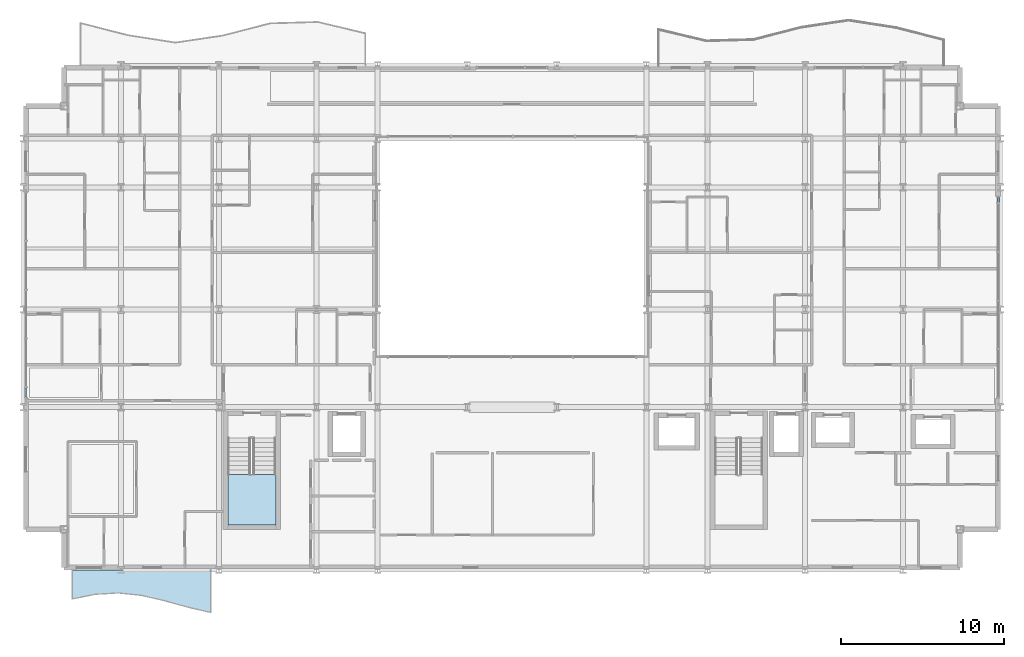
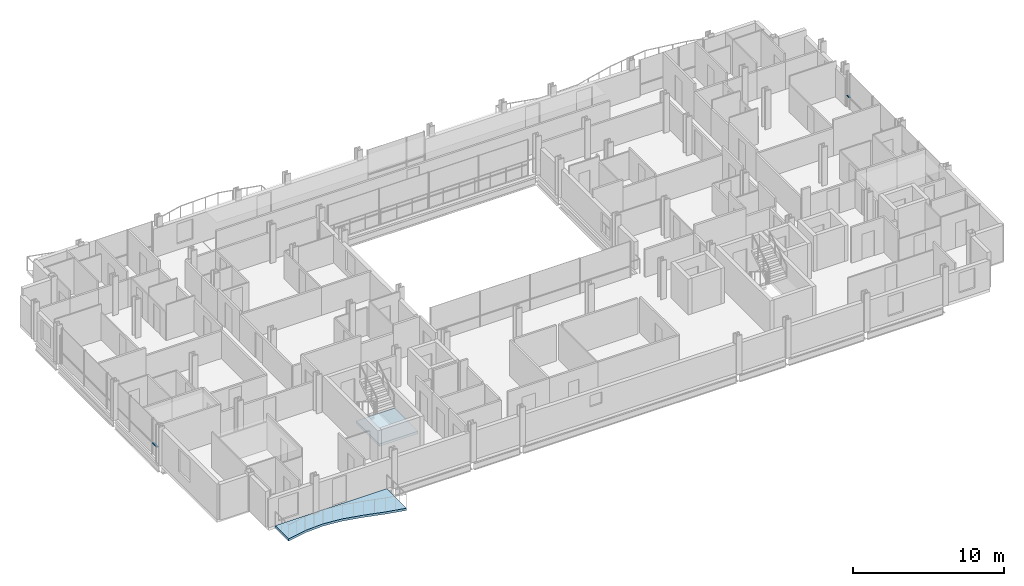
# One storey, part 25 of 41: 2 members, 2 slabs, 3 elements without a shape of their own.
"""IFC4 building model written with IfcOpenShell, lengths in metres."""

from ifc_helpers import new_model, si_unit, direction, frame, origin, origin_2d, place, context, subcontext, project, spatial, polyline, hollow_rectangle, outline, extrude, material, layer, layer_set, material_profile, profile_set, type_object, element, aggregate, save


model = new_model("IFC4")

# Units and contexts
model_context = context("Model", 3, precision=1e-05, world=origin(), true_north=direction((0.0, 1.0)))
body_context = subcontext(model_context, "Body", "Model", "MODEL_VIEW")
ifc_project = project(units=[si_unit("LENGTHUNIT", "METRE"), si_unit("AREAUNIT", "SQUARE_METRE"), si_unit("VOLUMEUNIT", "CUBIC_METRE"), si_unit("PLANEANGLEUNIT", "RADIAN"), si_unit("MASSUNIT", "GRAM", prefix="KILO")], contexts=[model_context])

# Site, building, storey
site_placement = place(None, origin())
site = spatial("IfcSite", under=ifc_project, at=site_placement, CompositionType="ELEMENT")
building_placement = place(site_placement, origin())
building = spatial("IfcBuilding", under=site, at=building_placement, Name="Brevholm Reach", CompositionType="ELEMENT")
storey_placement = place(building_placement, frame((0.0, 0.0, 55.89990234375)))
storey = spatial("IfcBuildingStorey", under=building, at=storey_placement, Name="L15", CompositionType="ELEMENT", Elevation=55.89990234375)

# Curtain wall, member
ifc_material_1 = material(Name="Dark Anodised Aluminium 6063-T6 and Solar-Control Glass", Category="aluminium")
ifc_layer_1 = layer(ifc_material_1, 0.14990234375)
ifc_layer_set_1 = layer_set([ifc_layer_1], Name="Dark Anodised Aluminium 6063-T6 and Solar-Control Glass")
curtain_wall_type = type_object("IfcCurtainWallType", Name="CW-01", PredefinedType="NOTDEFINED", material=ifc_layer_set_1)
curtain_wall_1_placement = place(storey_placement, origin())
curtain_wall_1 = element("IfcCurtainWall", 1, at=curtain_wall_1_placement, inside=storey, type_object=curtain_wall_type, Name="L15 Curtain Wall CW-01", PredefinedType="NOTDEFINED")
ifc_material_2 = material(Name="Dark Anodised Aluminium 6063-T6", Category="aluminium")
ifc_material_profile = material_profile(ifc_material_2, hollow_rectangle(XDim=0.06494140625, YDim=0.14990234375, WallThickness=0.0048828125, InnerFilletRadius=0.0048828125, OuterFilletRadius=0.010009765625, at=origin_2d()), Name="RHS 150x65x5")
ifc_profile_set = profile_set([ifc_material_profile], Name="Dark Anodised Aluminium 6063-T6")
member_type = type_object("IfcMemberType", Name="CWT-150", PredefinedType="NOTDEFINED", material=ifc_profile_set)
member_1_placement = place(storey_placement, frame((0.14990234375, 11.1875, 0.900146484375), z_axis=(0.0, -1.0, 0.0), x_axis=(0.0, 0.0, 1.0)))
member_1 = element("IfcMember", 2, at=member_1_placement, type_object=member_type, Name="CT-150 Transom 5.1", ObjectType="TRANSOM", PredefinedType="USERDEFINED", context=body_context, shape_type="SweptSolid", body=[
    extrude(hollow_rectangle(XDim=0.06494140625, YDim=0.14990234375, WallThickness=0.0048828125, InnerFilletRadius=0.0048828125, OuterFilletRadius=0.010009765625, at=origin_2d()), origin(), (0.0, 0.0, 1.0), 0.572509765625),
])
aggregate(curtain_wall_1, [member_1])

curtain_wall_2_placement = place(storey_placement, origin())
curtain_wall_2 = element("IfcCurtainWall", 3, at=curtain_wall_2_placement, inside=storey, type_object=curtain_wall_type, Name="L15 Curtain Wall CW-01", PredefinedType="NOTDEFINED")
member_2_placement = place(storey_placement, frame((59.85009765625, 22.58251953125, 0.900146484375), z_axis=(0.0, 1.0, 0.0), x_axis=(0.0, 0.0, 1.0)))
member_2 = element("IfcMember", 4, at=member_2_placement, type_object=member_type, Name="CT-150 Transom 5.1", ObjectType="TRANSOM", PredefinedType="USERDEFINED", context=body_context, shape_type="SweptSolid", body=[
    extrude(hollow_rectangle(XDim=0.06494140625, YDim=0.14990234375, WallThickness=0.0048828125, InnerFilletRadius=0.0048828125, OuterFilletRadius=0.010009765625, at=origin_2d()), origin(), (0.0, 0.0, 1.0), 0.302490234375),
])
aggregate(curtain_wall_2, [member_2])

# Slab
ifc_material_3 = material(Name="Precast Concrete C40/50", Category="concrete")
ifc_layer_2 = layer(ifc_material_3, 0.179931640625)
ifc_layer_set_2 = layer_set([ifc_layer_2], Name="Precast Concrete C40/50")
slab_type_1 = type_object("IfcSlabType", Name="SLB-BAL-180", PredefinedType="FLOOR", material=ifc_layer_set_2)
slab_1_placement = place(storey_placement, frame((0.0, 0.0, -0.179931640625)))
element("IfcSlab", 5, at=slab_1_placement, inside=storey, type_object=slab_type_1, Name="L15 Rippling External Balcony SW", PredefinedType="FLOOR", context=body_context, shape_type="SweptSolid", body=[
    extrude(outline(polyline([(3.0, -1.7685546875), (4.416748046875, -1.484619140625), (5.833251953125, -1.402587890625), (7.25, -1.55029296875), (8.666748046875, -1.877685546875), (10.083251953125, -2.2724609375), (11.5, -2.599609375), (11.5, 0.0), (3.0, 0.0), (3.0, -1.7685546875)])), origin(), (0.0, 0.0, 1.0), 0.179931640625),
])

# Stair, slab
ifc_material_4 = material(Name="Precast Concrete C40/50", Category="concrete")
stair_type = type_object("IfcStairType", Name="STR-ESC-1400", PredefinedType="DOUBLE_RETURN_STAIR", material=ifc_material_4)
stair_placement = place(storey_placement, origin())
stair = element("IfcStair", 6, at=stair_placement, inside=storey, type_object=stair_type, Name="L15 ST-1", PredefinedType="DOUBLE_RETURN_STAIR")
ifc_material_5 = material(Name="Concrete C40/50", Category="concrete")
ifc_layer_3 = layer(ifc_material_5, 0.199951171875)
ifc_layer_set_3 = layer_set([ifc_layer_3], Name="Concrete C40/50")
slab_type_2 = type_object("IfcSlabType", Name="SLB-LND-200", PredefinedType="LANDING", material=ifc_layer_set_3)
slab_2_placement = place(storey_placement, frame((0.0, 0.0, 1.35009765625)))
slab_2 = element("IfcSlab", 7, at=slab_2_placement, type_object=slab_type_2, Name="ST-1 landing 1", PredefinedType="LANDING", context=body_context, shape_type="SweptSolid", body=[
    extrude(outline(polyline([(12.550048828125, 5.860107421875), (12.550048828125, 2.780029296875), (15.5, 2.780029296875), (15.5, 5.860107421875), (12.550048828125, 5.860107421875)])), origin(), (0.0, 0.0, 1.0), 0.199951171875),
])
aggregate(stair, [slab_2])

save(model, "model.ifc")
